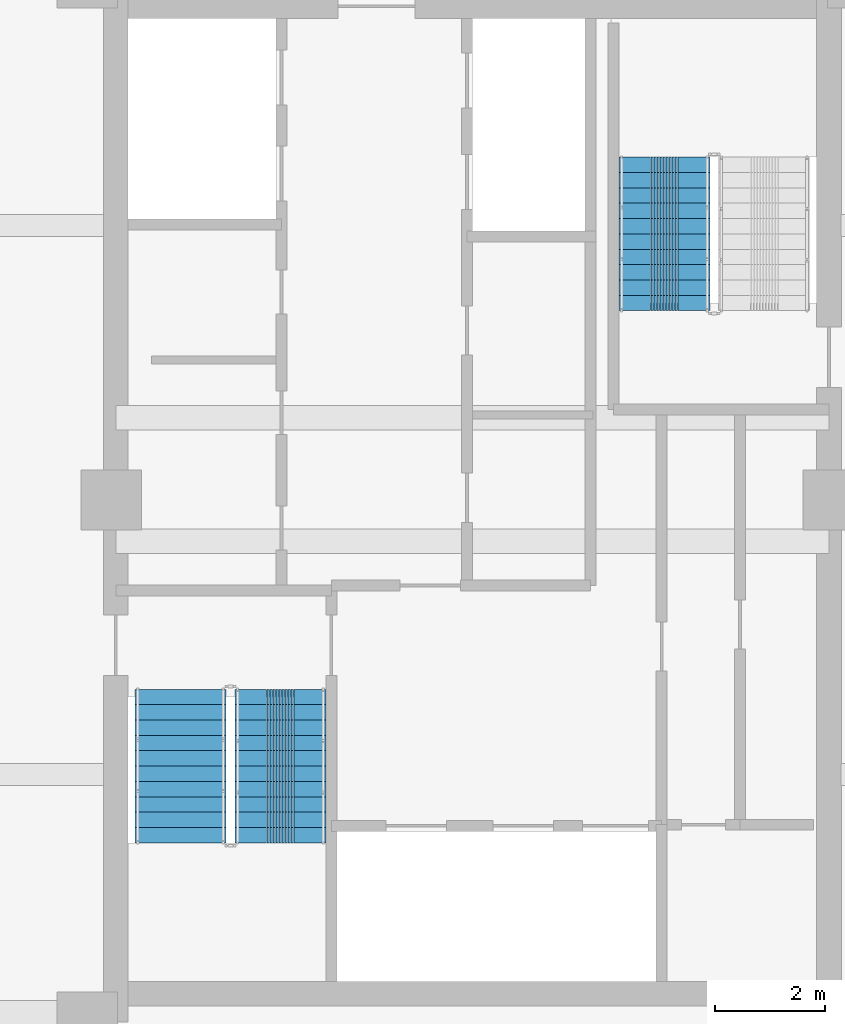
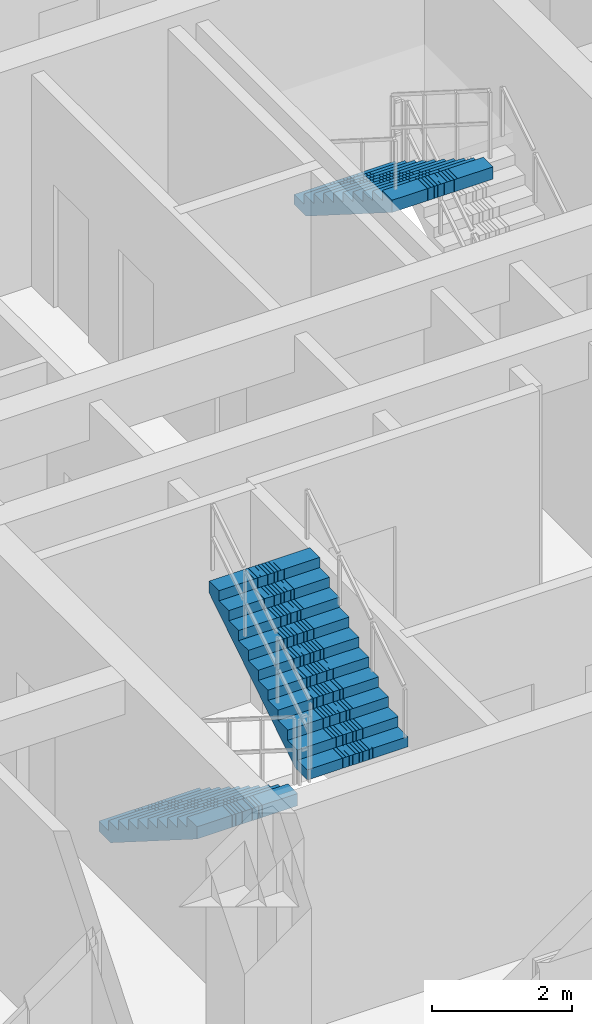
# One storey, part 8 of 14: 3 stair flights, 2 elements without a shape of their own.
"""IFC4 building model written with IfcOpenShell, lengths in metres."""

import ifcopenshell
import ifcopenshell.guid

model = None  # the IFC model being written
_history = None  # IfcOwnerHistory: only IFC2X3 demands one
_inside = {}  # id of a spatial element -> (the spatial element, [elements in it])
_under = {}  # id of a project, library or spatial element -> (it, [spatial elements below it])
_declared = {}  # id of a project -> (the project, [libraries it declares])
_typed = {}  # id of a type object -> (the type object, [elements of that type])
_made_of = {}  # id of a material, layer set ... -> (it, [elements and type objects made of it])


def new_model(schema):
    """Start an empty IFC model of exactly this schema.

    Asked for "IFC4X3", IfcOpenShell would pick the latest addendum, in which some entities
    have other attributes; the version numbers below select the first issue.
    IFC2X3 requires an IfcOwnerHistory on every rooted entity: one is made here for all.
    """
    global model, _history
    if schema == "IFC4X3":
        model = ifcopenshell.file(schema_version=(4, 3, 0, 0))
    else:
        model = ifcopenshell.file(schema=schema)
    _inside.clear()
    _under.clear()
    _declared.clear()
    _typed.clear()
    _made_of.clear()
    _history = None
    if model.schema == "IFC2X3":
        org = make("IfcOrganization", Name="unknown")
        user = make(
            "IfcPersonAndOrganization",
            ThePerson=make("IfcPerson", FamilyName="unknown"),
            TheOrganization=org,
        )
        app = make(
            "IfcApplication",
            ApplicationDeveloper=org,
            Version="unknown",
            ApplicationFullName="unknown",
            ApplicationIdentifier="unknown",
        )
        _history = make(
            "IfcOwnerHistory",
            OwningUser=user,
            OwningApplication=app,
            ChangeAction="ADDED",
            CreationDate=0,
        )
    return model


def make(cls, **values):
    """One entity of the class cls with the attributes given. An attribute that is None is left unset."""
    return model.create_entity(
        cls, **{name: value for name, value in values.items() if value is not None}
    )


def rooted(cls, **values):
    """An entity with a GlobalId (a new one), such as an element, a storey or a relation."""
    return make(cls, GlobalId=ifcopenshell.guid.new(), OwnerHistory=_history, **values)


def si_unit(unit_type, name, prefix=None):
    """IfcSIUnit, for example si_unit("LENGTHUNIT", "METRE", prefix="MILLI")."""
    return make("IfcSIUnit", UnitType=unit_type, Prefix=prefix, Name=name)


def assignment(units):
    """IfcUnitAssignment: the units of a project."""
    return None if units is None else make("IfcUnitAssignment", Units=units)


def point(xyz):
    """IfcCartesianPoint."""
    return None if xyz is None else make("IfcCartesianPoint", Coordinates=xyz)


def direction(xyz):
    """IfcDirection."""
    return None if xyz is None else make("IfcDirection", DirectionRatios=xyz)


def frame(location, z_axis=None, x_axis=None):
    """IfcAxis2Placement3D, a coordinate frame: its origin and axes. An axis left out is left unset."""
    return make(
        "IfcAxis2Placement3D",
        Location=point(location),
        Axis=direction(z_axis),
        RefDirection=direction(x_axis),
    )


def origin():
    """The frame at (0, 0, 0) with its axes left unset."""
    return frame((0.0, 0.0, 0.0))


def place(relative_to, where):
    """IfcLocalPlacement: puts the frame where relative to a parent placement (None: the world)."""
    return make(
        "IfcLocalPlacement", PlacementRelTo=relative_to, RelativePlacement=where
    )


def context(
    kind, dimensions, precision=None, world=None, true_north=None, identifier=None
):
    """IfcGeometricRepresentationContext, for example the 3D "Model" context."""
    return make(
        "IfcGeometricRepresentationContext",
        ContextIdentifier=identifier,
        ContextType=kind,
        CoordinateSpaceDimension=dimensions,
        Precision=precision,
        WorldCoordinateSystem=world,
        TrueNorth=true_north,
    )


def subcontext(parent, identifier, kind, view, scale=None):
    """IfcGeometricRepresentationSubContext, for example "Body" below "Model"."""
    return make(
        "IfcGeometricRepresentationSubContext",
        ContextIdentifier=identifier,
        ContextType=kind,
        ParentContext=parent,
        TargetScale=scale,
        TargetView=view,
    )


def project(units=None, contexts=None):
    """IfcProject with its units and contexts."""
    return rooted(
        "IfcProject",
        Name="project",
        RepresentationContexts=contexts,
        UnitsInContext=assignment(units),
    )


def spatial(cls, under=None, at=None, **own):
    """A site, building, storey or space (cls), placed at a placement, below another one or the project."""
    s = rooted(cls, ObjectPlacement=at, **own)
    if under is not None:
        _under.setdefault(under.id(), (under, []))[1].append(s)
    return s


def polyline(points):
    """IfcPolyline through the points."""
    return make("IfcPolyline", Points=[point(p) for p in points])


def outline(outer, holes=None, kind="AREA"):
    """IfcArbitraryClosedProfileDef: a profile drawn as a closed curve; with holes, ...WithVoids."""
    if holes is None:
        return make("IfcArbitraryClosedProfileDef", ProfileType=kind, OuterCurve=outer)
    return make(
        "IfcArbitraryProfileDefWithVoids",
        ProfileType=kind,
        OuterCurve=outer,
        InnerCurves=holes,
    )


def extrude(swept, where, along, depth):
    """IfcExtrudedAreaSolid: the profile swept, set in the frame where, extruded along a direction by depth."""
    return make(
        "IfcExtrudedAreaSolid",
        SweptArea=swept,
        Position=where,
        ExtrudedDirection=direction(along),
        Depth=depth,
    )


def shape(context_of_items, identifier, shape_type, items):
    """IfcShapeRepresentation: the items that make up one representation, for example the "Body"."""
    return make(
        "IfcShapeRepresentation",
        ContextOfItems=context_of_items,
        RepresentationIdentifier=identifier,
        RepresentationType=shape_type,
        Items=items,
    )


def material(Name=None, Category=None):
    """IfcMaterial."""
    return make("IfcMaterial", Name=Name, Category=Category)


def made_of(thing, what):
    """Note that an element or type object is made of a material, layer set ...; save() writes the relation."""
    if what is not None:
        _made_of.setdefault(what.id(), (what, []))[1].append(thing)
    return thing


def type_object(cls, material=None, **own):
    """A type object (cls), such as IfcWallType, which elements share."""
    return made_of(rooted(cls, **own), material)


def element(
    cls,
    number,
    at=None,
    inside=None,
    cuts=None,
    type_object=None,
    material=None,
    context=None,
    identifier="Body",
    shape_type=None,
    held_by="IfcProductDefinitionShape",
    body=None,
    shapes=None,
    **own,
):
    """One element of the class cls, such as IfcWall. Its Tag is "e" and its number.

    at: its placement. inside: the storey or other place that contains it. cuts: it is an
    opening in that element (IfcRelVoidsElement). A single representation is given by context,
    identifier, shape_type and body (its items); several are given by shapes. held_by: the class
    of the entity that holds the representations. save() writes the other relations.
    """
    e = rooted(cls, Tag="e%d" % number, ObjectPlacement=at, **own)
    if body is not None:
        shapes = [shape(context, identifier, shape_type, body)]
    if shapes is not None:
        e.Representation = make(held_by, Representations=shapes)
    if inside is not None:
        _inside.setdefault(inside.id(), (inside, []))[1].append(e)
    if cuts is not None:
        rooted(
            "IfcRelVoidsElement", RelatingBuildingElement=cuts, RelatedOpeningElement=e
        )
    if type_object is not None:
        _typed.setdefault(type_object.id(), (type_object, []))[1].append(e)
    return made_of(e, material)


def aggregate(whole, parts):
    """IfcRelAggregates: a whole, such as a stair, and the parts it consists of."""
    return rooted("IfcRelAggregates", RelatingObject=whole, RelatedObjects=parts)


def save(model, path):
    """Write the relations noted so far, then the file.

    IfcRelAggregates (storeys below a building ...), IfcRelContainedInSpatialStructure (elements
    in a storey), IfcRelDefinesByType, IfcRelAssociatesMaterial and IfcRelDeclares: one each for
    every whole, place, type object, material and project.
    """
    for whole, parts in _under.values():
        aggregate(whole, parts)
    for where, things in _inside.values():
        rooted(
            "IfcRelContainedInSpatialStructure",
            RelatedElements=things,
            RelatingStructure=where,
        )
    for kind, things in _typed.values():
        rooted("IfcRelDefinesByType", RelatedObjects=things, RelatingType=kind)
    for what, things in _made_of.values():
        rooted("IfcRelAssociatesMaterial", RelatedObjects=things, RelatingMaterial=what)
    for by, libraries in _declared.values():
        rooted("IfcRelDeclares", RelatingContext=by, RelatedDefinitions=libraries)
    model.write(path)


model = new_model("IFC4")

# Units and contexts
model_context = context("Model", 3, precision=1e-05, world=origin(), true_north=direction((0.0, 1.0)))
body_context = subcontext(model_context, "Body", "Model", "MODEL_VIEW")
ifc_project = project(units=[si_unit("LENGTHUNIT", "METRE"), si_unit("AREAUNIT", "SQUARE_METRE"), si_unit("VOLUMEUNIT", "CUBIC_METRE"), si_unit("PLANEANGLEUNIT", "RADIAN"), si_unit("MASSUNIT", "GRAM", prefix="KILO")], contexts=[model_context])

# Site, building, storey
site_placement = place(None, origin())
site = spatial("IfcSite", under=ifc_project, at=site_placement, CompositionType="ELEMENT")
building_placement = place(site_placement, origin())
building = spatial("IfcBuilding", under=site, at=building_placement, Name="Saelheon Loggia Tower", CompositionType="ELEMENT")
storey_placement = place(building_placement, frame((0.0, 0.0, 182.800048828125)))
storey = spatial("IfcBuildingStorey", under=building, at=storey_placement, Name="L57", CompositionType="ELEMENT", Elevation=182.800048828125)

# Stair, stair flights
ifc_material = material(Name="Concrete C40/50", Category="concrete")
stair_type = type_object("IfcStairType", Name="Stair_Escape_Core", PredefinedType="HALF_TURN_STAIR", material=ifc_material)
stair_1_placement = place(storey_placement, origin())
stair_1 = element("IfcStair", 1, at=stair_1_placement, inside=storey, type_object=stair_type, Name="L57 Special Escape Stair ST1", PredefinedType="HALF_TURN_STAIR")
stair_flight_type = type_object("IfcStairFlightType", Name="StairFlight_Tower_1660", PredefinedType="STRAIGHT", material=ifc_material)
stair_flight_1_placement = place(storey_placement, frame((32.679931640625, 23.550048828125, 0.0), z_axis=(0.0, 0.0, 1.0), x_axis=(0.0, -1.0, 0.0)))
stair_flight_1 = element("IfcStairFlight", 2, at=stair_flight_1_placement, type_object=stair_flight_type, Name="ST1 flight 1", NumberOfRisers=11, NumberOfTreads=10, PredefinedType="STRAIGHT", RiserHeight=0.177272727, TreadLength=0.28, context=body_context, shape_type="SweptSolid", body=[
    extrude(outline(polyline([(0.0, 0.0), (0.0, 0.17724609375), (0.280029296875, 0.17724609375), (0.280029296875, 0.3544921875), (0.56005859375, 0.3544921875), (0.56005859375, 0.53173828125), (0.840087890625, 0.53173828125), (0.840087890625, 0.708984375), (1.1201171875, 0.708984375), (1.1201171875, 0.886474609375), (1.39990234375, 0.886474609375), (1.39990234375, 1.063720703125), (1.679931640625, 1.063720703125), (1.679931640625, 1.240966796875), (1.9599609375, 1.240966796875), (1.9599609375, 1.418212890625), (2.239990234375, 1.418212890625), (2.239990234375, 1.595458984375), (2.52001953125, 1.595458984375), (2.52001953125, 1.772705078125), (2.800048828125, 1.772705078125), (2.800048828125, 1.949951171875), (2.800048828125, 1.559814453125), (0.33642578125, 0.0), (0.0, 0.0)])), frame((0.0, -0.2490234375, 0.0), z_axis=(0.0, -1.0, 0.0), x_axis=(1.0, 0.0, 0.0)), (0.0, 0.0, 1.0), 0.5810546875),
    extrude(outline(polyline([(0.0, 0.0), (0.0, 0.17724609375), (0.280029296875, 0.17724609375), (0.280029296875, 0.3544921875), (0.56005859375, 0.3544921875), (0.56005859375, 0.53173828125), (0.840087890625, 0.53173828125), (0.840087890625, 0.708984375), (1.1201171875, 0.708984375), (1.1201171875, 0.886474609375), (1.39990234375, 0.886474609375), (1.39990234375, 1.063720703125), (1.679931640625, 1.063720703125), (1.679931640625, 1.240966796875), (1.9599609375, 1.240966796875), (1.9599609375, 1.418212890625), (2.239990234375, 1.418212890625), (2.239990234375, 1.595458984375), (2.52001953125, 1.595458984375), (2.52001953125, 1.772705078125), (2.800048828125, 1.772705078125), (2.800048828125, 1.949951171875), (2.800048828125, 1.559814453125), (0.33642578125, 0.0), (0.0, 0.0)])), frame((0.0, -0.194091796875, 0.0), z_axis=(0.0, -1.0, 0.0), x_axis=(1.0, 0.0, 0.0)), (0.0, 0.0, 1.0), 0.0498046875),
    extrude(outline(polyline([(0.0, 0.0), (0.0, 0.17724609375), (0.280029296875, 0.17724609375), (0.280029296875, 0.3544921875), (0.56005859375, 0.3544921875), (0.56005859375, 0.53173828125), (0.840087890625, 0.53173828125), (0.840087890625, 0.708984375), (1.1201171875, 0.708984375), (1.1201171875, 0.886474609375), (1.39990234375, 0.886474609375), (1.39990234375, 1.063720703125), (1.679931640625, 1.063720703125), (1.679931640625, 1.240966796875), (1.9599609375, 1.240966796875), (1.9599609375, 1.418212890625), (2.239990234375, 1.418212890625), (2.239990234375, 1.595458984375), (2.52001953125, 1.595458984375), (2.52001953125, 1.772705078125), (2.800048828125, 1.772705078125), (2.800048828125, 1.949951171875), (2.800048828125, 1.559814453125), (0.33642578125, 0.0), (0.0, 0.0)])), frame((0.0, -0.139404296875, 0.0), z_axis=(0.0, -1.0, 0.0), x_axis=(1.0, 0.0, 0.0)), (0.0, 0.0, 1.0), 0.0498046875),
    extrude(outline(polyline([(0.0, 0.0), (0.0, 0.17724609375), (0.280029296875, 0.17724609375), (0.280029296875, 0.3544921875), (0.56005859375, 0.3544921875), (0.56005859375, 0.53173828125), (0.840087890625, 0.53173828125), (0.840087890625, 0.708984375), (1.1201171875, 0.708984375), (1.1201171875, 0.886474609375), (1.39990234375, 0.886474609375), (1.39990234375, 1.063720703125), (1.679931640625, 1.063720703125), (1.679931640625, 1.240966796875), (1.9599609375, 1.240966796875), (1.9599609375, 1.418212890625), (2.239990234375, 1.418212890625), (2.239990234375, 1.595458984375), (2.52001953125, 1.595458984375), (2.52001953125, 1.772705078125), (2.800048828125, 1.772705078125), (2.800048828125, 1.949951171875), (2.800048828125, 1.559814453125), (0.33642578125, 0.0), (0.0, 0.0)])), frame((0.0, -0.084716796875, 0.0), z_axis=(0.0, -1.0, 0.0), x_axis=(1.0, 0.0, 0.0)), (0.0, 0.0, 1.0), 0.0498046875),
    extrude(outline(polyline([(0.0, 0.0), (0.0, 0.17724609375), (0.280029296875, 0.17724609375), (0.280029296875, 0.3544921875), (0.56005859375, 0.3544921875), (0.56005859375, 0.53173828125), (0.840087890625, 0.53173828125), (0.840087890625, 0.708984375), (1.1201171875, 0.708984375), (1.1201171875, 0.886474609375), (1.39990234375, 0.886474609375), (1.39990234375, 1.063720703125), (1.679931640625, 1.063720703125), (1.679931640625, 1.240966796875), (1.9599609375, 1.240966796875), (1.9599609375, 1.418212890625), (2.239990234375, 1.418212890625), (2.239990234375, 1.595458984375), (2.52001953125, 1.595458984375), (2.52001953125, 1.772705078125), (2.800048828125, 1.772705078125), (2.800048828125, 1.949951171875), (2.800048828125, 1.559814453125), (0.33642578125, 0.0), (0.0, 0.0)])), frame((0.0, -0.02978515625, 0.0), z_axis=(0.0, -1.0, 0.0), x_axis=(1.0, 0.0, 0.0)), (0.0, 0.0, 1.0), 0.0498046875),
    extrude(outline(polyline([(0.0, 0.0), (0.0, 0.17724609375), (0.280029296875, 0.17724609375), (0.280029296875, 0.3544921875), (0.56005859375, 0.3544921875), (0.56005859375, 0.53173828125), (0.840087890625, 0.53173828125), (0.840087890625, 0.708984375), (1.1201171875, 0.708984375), (1.1201171875, 0.886474609375), (1.39990234375, 0.886474609375), (1.39990234375, 1.063720703125), (1.679931640625, 1.063720703125), (1.679931640625, 1.240966796875), (1.9599609375, 1.240966796875), (1.9599609375, 1.418212890625), (2.239990234375, 1.418212890625), (2.239990234375, 1.595458984375), (2.52001953125, 1.595458984375), (2.52001953125, 1.772705078125), (2.800048828125, 1.772705078125), (2.800048828125, 1.949951171875), (2.800048828125, 1.559814453125), (0.33642578125, 0.0), (0.0, 0.0)])), frame((0.0, 0.02490234375, 0.0), z_axis=(0.0, -1.0, 0.0), x_axis=(1.0, 0.0, 0.0)), (0.0, 0.0, 1.0), 0.0498046875),
    extrude(outline(polyline([(0.0, 0.0), (0.0, 0.17724609375), (0.280029296875, 0.17724609375), (0.280029296875, 0.3544921875), (0.56005859375, 0.3544921875), (0.56005859375, 0.53173828125), (0.840087890625, 0.53173828125), (0.840087890625, 0.708984375), (1.1201171875, 0.708984375), (1.1201171875, 0.886474609375), (1.39990234375, 0.886474609375), (1.39990234375, 1.063720703125), (1.679931640625, 1.063720703125), (1.679931640625, 1.240966796875), (1.9599609375, 1.240966796875), (1.9599609375, 1.418212890625), (2.239990234375, 1.418212890625), (2.239990234375, 1.595458984375), (2.52001953125, 1.595458984375), (2.52001953125, 1.772705078125), (2.800048828125, 1.772705078125), (2.800048828125, 1.949951171875), (2.800048828125, 1.559814453125), (0.33642578125, 0.0), (0.0, 0.0)])), frame((0.0, 0.07958984375, 0.0), z_axis=(0.0, -1.0, 0.0), x_axis=(1.0, 0.0, 0.0)), (0.0, 0.0, 1.0), 0.0498046875),
    extrude(outline(polyline([(0.0, 0.0), (0.0, 0.17724609375), (0.280029296875, 0.17724609375), (0.280029296875, 0.3544921875), (0.56005859375, 0.3544921875), (0.56005859375, 0.53173828125), (0.840087890625, 0.53173828125), (0.840087890625, 0.708984375), (1.1201171875, 0.708984375), (1.1201171875, 0.886474609375), (1.39990234375, 0.886474609375), (1.39990234375, 1.063720703125), (1.679931640625, 1.063720703125), (1.679931640625, 1.240966796875), (1.9599609375, 1.240966796875), (1.9599609375, 1.418212890625), (2.239990234375, 1.418212890625), (2.239990234375, 1.595458984375), (2.52001953125, 1.595458984375), (2.52001953125, 1.772705078125), (2.800048828125, 1.772705078125), (2.800048828125, 1.949951171875), (2.800048828125, 1.559814453125), (0.33642578125, 0.0), (0.0, 0.0)])), frame((0.0, 0.134521484375, 0.0), z_axis=(0.0, -1.0, 0.0), x_axis=(1.0, 0.0, 0.0)), (0.0, 0.0, 1.0), 0.0498046875),
    extrude(outline(polyline([(0.0, 0.0), (0.0, 0.17724609375), (0.280029296875, 0.17724609375), (0.280029296875, 0.3544921875), (0.56005859375, 0.3544921875), (0.56005859375, 0.53173828125), (0.840087890625, 0.53173828125), (0.840087890625, 0.708984375), (1.1201171875, 0.708984375), (1.1201171875, 0.886474609375), (1.39990234375, 0.886474609375), (1.39990234375, 1.063720703125), (1.679931640625, 1.063720703125), (1.679931640625, 1.240966796875), (1.9599609375, 1.240966796875), (1.9599609375, 1.418212890625), (2.239990234375, 1.418212890625), (2.239990234375, 1.595458984375), (2.52001953125, 1.595458984375), (2.52001953125, 1.772705078125), (2.800048828125, 1.772705078125), (2.800048828125, 1.949951171875), (2.800048828125, 1.559814453125), (0.33642578125, 0.0), (0.0, 0.0)])), frame((0.0, 0.189208984375, 0.0), z_axis=(0.0, -1.0, 0.0), x_axis=(1.0, 0.0, 0.0)), (0.0, 0.0, 1.0), 0.0498046875),
    extrude(outline(polyline([(0.0, 0.0), (0.0, 0.17724609375), (0.280029296875, 0.17724609375), (0.280029296875, 0.3544921875), (0.56005859375, 0.3544921875), (0.56005859375, 0.53173828125), (0.840087890625, 0.53173828125), (0.840087890625, 0.708984375), (1.1201171875, 0.708984375), (1.1201171875, 0.886474609375), (1.39990234375, 0.886474609375), (1.39990234375, 1.063720703125), (1.679931640625, 1.063720703125), (1.679931640625, 1.240966796875), (1.9599609375, 1.240966796875), (1.9599609375, 1.418212890625), (2.239990234375, 1.418212890625), (2.239990234375, 1.595458984375), (2.52001953125, 1.595458984375), (2.52001953125, 1.772705078125), (2.800048828125, 1.772705078125), (2.800048828125, 1.949951171875), (2.800048828125, 1.559814453125), (0.33642578125, 0.0), (0.0, 0.0)])), frame((0.0, 0.243896484375, 0.0), z_axis=(0.0, -1.0, 0.0), x_axis=(1.0, 0.0, 0.0)), (0.0, 0.0, 1.0), 0.0498046875),
    extrude(outline(polyline([(0.0, 0.0), (0.0, 0.17724609375), (0.280029296875, 0.17724609375), (0.280029296875, 0.3544921875), (0.56005859375, 0.3544921875), (0.56005859375, 0.53173828125), (0.840087890625, 0.53173828125), (0.840087890625, 0.708984375), (1.1201171875, 0.708984375), (1.1201171875, 0.886474609375), (1.39990234375, 0.886474609375), (1.39990234375, 1.063720703125), (1.679931640625, 1.063720703125), (1.679931640625, 1.240966796875), (1.9599609375, 1.240966796875), (1.9599609375, 1.418212890625), (2.239990234375, 1.418212890625), (2.239990234375, 1.595458984375), (2.52001953125, 1.595458984375), (2.52001953125, 1.772705078125), (2.800048828125, 1.772705078125), (2.800048828125, 1.949951171875), (2.800048828125, 1.559814453125), (0.33642578125, 0.0), (0.0, 0.0)])), frame((0.0, 0.830078125, 0.0), z_axis=(0.0, -1.0, 0.0), x_axis=(1.0, 0.0, 0.0)), (0.0, 0.0, 1.0), 0.5810546875),
])
stair_flight_2_placement = place(storey_placement, frame((34.5, 20.75, 1.949951171875), z_axis=(0.0, 0.0, 1.0), x_axis=(0.0, 1.0, 0.0)))
stair_flight_2 = element("IfcStairFlight", 3, at=stair_flight_2_placement, type_object=stair_flight_type, Name="ST1 flight 2", NumberOfRisers=11, NumberOfTreads=10, PredefinedType="STRAIGHT", RiserHeight=0.177272727, TreadLength=0.28, context=body_context, shape_type="SweptSolid", body=[
    extrude(outline(polyline([(0.0, 0.0), (0.0, 0.17724609375), (0.280029296875, 0.17724609375), (0.280029296875, 0.3544921875), (0.56005859375, 0.3544921875), (0.56005859375, 0.53173828125), (0.840087890625, 0.53173828125), (0.840087890625, 0.708984375), (1.1201171875, 0.708984375), (1.1201171875, 0.886474609375), (1.39990234375, 0.886474609375), (1.39990234375, 1.063720703125), (1.679931640625, 1.063720703125), (1.679931640625, 1.240966796875), (1.9599609375, 1.240966796875), (1.9599609375, 1.418212890625), (2.239990234375, 1.418212890625), (2.239990234375, 1.595458984375), (2.52001953125, 1.595458984375), (2.52001953125, 1.772705078125), (2.800048828125, 1.772705078125), (2.800048828125, 1.949951171875), (2.800048828125, 1.559814453125), (0.33642578125, 0.0), (0.0, 0.0)])), frame((0.0, -0.2490234375, 0.0), z_axis=(0.0, -1.0, 0.0), x_axis=(1.0, 0.0, 0.0)), (0.0, 0.0, 1.0), 0.5810546875),
    extrude(outline(polyline([(0.0, 0.0), (0.0, 0.17724609375), (0.280029296875, 0.17724609375), (0.280029296875, 0.3544921875), (0.56005859375, 0.3544921875), (0.56005859375, 0.53173828125), (0.840087890625, 0.53173828125), (0.840087890625, 0.708984375), (1.1201171875, 0.708984375), (1.1201171875, 0.886474609375), (1.39990234375, 0.886474609375), (1.39990234375, 1.063720703125), (1.679931640625, 1.063720703125), (1.679931640625, 1.240966796875), (1.9599609375, 1.240966796875), (1.9599609375, 1.418212890625), (2.239990234375, 1.418212890625), (2.239990234375, 1.595458984375), (2.52001953125, 1.595458984375), (2.52001953125, 1.772705078125), (2.800048828125, 1.772705078125), (2.800048828125, 1.949951171875), (2.800048828125, 1.559814453125), (0.33642578125, 0.0), (0.0, 0.0)])), frame((0.0, -0.194091796875, 0.0), z_axis=(0.0, -1.0, 0.0), x_axis=(1.0, 0.0, 0.0)), (0.0, 0.0, 1.0), 0.0498046875),
    extrude(outline(polyline([(0.0, 0.0), (0.0, 0.17724609375), (0.280029296875, 0.17724609375), (0.280029296875, 0.3544921875), (0.56005859375, 0.3544921875), (0.56005859375, 0.53173828125), (0.840087890625, 0.53173828125), (0.840087890625, 0.708984375), (1.1201171875, 0.708984375), (1.1201171875, 0.886474609375), (1.39990234375, 0.886474609375), (1.39990234375, 1.063720703125), (1.679931640625, 1.063720703125), (1.679931640625, 1.240966796875), (1.9599609375, 1.240966796875), (1.9599609375, 1.418212890625), (2.239990234375, 1.418212890625), (2.239990234375, 1.595458984375), (2.52001953125, 1.595458984375), (2.52001953125, 1.772705078125), (2.800048828125, 1.772705078125), (2.800048828125, 1.949951171875), (2.800048828125, 1.559814453125), (0.33642578125, 0.0), (0.0, 0.0)])), frame((0.0, -0.139404296875, 0.0), z_axis=(0.0, -1.0, 0.0), x_axis=(1.0, 0.0, 0.0)), (0.0, 0.0, 1.0), 0.0498046875),
    extrude(outline(polyline([(0.0, 0.0), (0.0, 0.17724609375), (0.280029296875, 0.17724609375), (0.280029296875, 0.3544921875), (0.56005859375, 0.3544921875), (0.56005859375, 0.53173828125), (0.840087890625, 0.53173828125), (0.840087890625, 0.708984375), (1.1201171875, 0.708984375), (1.1201171875, 0.886474609375), (1.39990234375, 0.886474609375), (1.39990234375, 1.063720703125), (1.679931640625, 1.063720703125), (1.679931640625, 1.240966796875), (1.9599609375, 1.240966796875), (1.9599609375, 1.418212890625), (2.239990234375, 1.418212890625), (2.239990234375, 1.595458984375), (2.52001953125, 1.595458984375), (2.52001953125, 1.772705078125), (2.800048828125, 1.772705078125), (2.800048828125, 1.949951171875), (2.800048828125, 1.559814453125), (0.33642578125, 0.0), (0.0, 0.0)])), frame((0.0, -0.084716796875, 0.0), z_axis=(0.0, -1.0, 0.0), x_axis=(1.0, 0.0, 0.0)), (0.0, 0.0, 1.0), 0.0498046875),
    extrude(outline(polyline([(0.0, 0.0), (0.0, 0.17724609375), (0.280029296875, 0.17724609375), (0.280029296875, 0.3544921875), (0.56005859375, 0.3544921875), (0.56005859375, 0.53173828125), (0.840087890625, 0.53173828125), (0.840087890625, 0.708984375), (1.1201171875, 0.708984375), (1.1201171875, 0.886474609375), (1.39990234375, 0.886474609375), (1.39990234375, 1.063720703125), (1.679931640625, 1.063720703125), (1.679931640625, 1.240966796875), (1.9599609375, 1.240966796875), (1.9599609375, 1.418212890625), (2.239990234375, 1.418212890625), (2.239990234375, 1.595458984375), (2.52001953125, 1.595458984375), (2.52001953125, 1.772705078125), (2.800048828125, 1.772705078125), (2.800048828125, 1.949951171875), (2.800048828125, 1.559814453125), (0.33642578125, 0.0), (0.0, 0.0)])), frame((0.0, -0.02978515625, 0.0), z_axis=(0.0, -1.0, 0.0), x_axis=(1.0, 0.0, 0.0)), (0.0, 0.0, 1.0), 0.0498046875),
    extrude(outline(polyline([(0.0, 0.0), (0.0, 0.17724609375), (0.280029296875, 0.17724609375), (0.280029296875, 0.3544921875), (0.56005859375, 0.3544921875), (0.56005859375, 0.53173828125), (0.840087890625, 0.53173828125), (0.840087890625, 0.708984375), (1.1201171875, 0.708984375), (1.1201171875, 0.886474609375), (1.39990234375, 0.886474609375), (1.39990234375, 1.063720703125), (1.679931640625, 1.063720703125), (1.679931640625, 1.240966796875), (1.9599609375, 1.240966796875), (1.9599609375, 1.418212890625), (2.239990234375, 1.418212890625), (2.239990234375, 1.595458984375), (2.52001953125, 1.595458984375), (2.52001953125, 1.772705078125), (2.800048828125, 1.772705078125), (2.800048828125, 1.949951171875), (2.800048828125, 1.559814453125), (0.33642578125, 0.0), (0.0, 0.0)])), frame((0.0, 0.02490234375, 0.0), z_axis=(0.0, -1.0, 0.0), x_axis=(1.0, 0.0, 0.0)), (0.0, 0.0, 1.0), 0.0498046875),
    extrude(outline(polyline([(0.0, 0.0), (0.0, 0.17724609375), (0.280029296875, 0.17724609375), (0.280029296875, 0.3544921875), (0.56005859375, 0.3544921875), (0.56005859375, 0.53173828125), (0.840087890625, 0.53173828125), (0.840087890625, 0.708984375), (1.1201171875, 0.708984375), (1.1201171875, 0.886474609375), (1.39990234375, 0.886474609375), (1.39990234375, 1.063720703125), (1.679931640625, 1.063720703125), (1.679931640625, 1.240966796875), (1.9599609375, 1.240966796875), (1.9599609375, 1.418212890625), (2.239990234375, 1.418212890625), (2.239990234375, 1.595458984375), (2.52001953125, 1.595458984375), (2.52001953125, 1.772705078125), (2.800048828125, 1.772705078125), (2.800048828125, 1.949951171875), (2.800048828125, 1.559814453125), (0.33642578125, 0.0), (0.0, 0.0)])), frame((0.0, 0.07958984375, 0.0), z_axis=(0.0, -1.0, 0.0), x_axis=(1.0, 0.0, 0.0)), (0.0, 0.0, 1.0), 0.0498046875),
    extrude(outline(polyline([(0.0, 0.0), (0.0, 0.17724609375), (0.280029296875, 0.17724609375), (0.280029296875, 0.3544921875), (0.56005859375, 0.3544921875), (0.56005859375, 0.53173828125), (0.840087890625, 0.53173828125), (0.840087890625, 0.708984375), (1.1201171875, 0.708984375), (1.1201171875, 0.886474609375), (1.39990234375, 0.886474609375), (1.39990234375, 1.063720703125), (1.679931640625, 1.063720703125), (1.679931640625, 1.240966796875), (1.9599609375, 1.240966796875), (1.9599609375, 1.418212890625), (2.239990234375, 1.418212890625), (2.239990234375, 1.595458984375), (2.52001953125, 1.595458984375), (2.52001953125, 1.772705078125), (2.800048828125, 1.772705078125), (2.800048828125, 1.949951171875), (2.800048828125, 1.559814453125), (0.33642578125, 0.0), (0.0, 0.0)])), frame((0.0, 0.134521484375, 0.0), z_axis=(0.0, -1.0, 0.0), x_axis=(1.0, 0.0, 0.0)), (0.0, 0.0, 1.0), 0.0498046875),
    extrude(outline(polyline([(0.0, 0.0), (0.0, 0.17724609375), (0.280029296875, 0.17724609375), (0.280029296875, 0.3544921875), (0.56005859375, 0.3544921875), (0.56005859375, 0.53173828125), (0.840087890625, 0.53173828125), (0.840087890625, 0.708984375), (1.1201171875, 0.708984375), (1.1201171875, 0.886474609375), (1.39990234375, 0.886474609375), (1.39990234375, 1.063720703125), (1.679931640625, 1.063720703125), (1.679931640625, 1.240966796875), (1.9599609375, 1.240966796875), (1.9599609375, 1.418212890625), (2.239990234375, 1.418212890625), (2.239990234375, 1.595458984375), (2.52001953125, 1.595458984375), (2.52001953125, 1.772705078125), (2.800048828125, 1.772705078125), (2.800048828125, 1.949951171875), (2.800048828125, 1.559814453125), (0.33642578125, 0.0), (0.0, 0.0)])), frame((0.0, 0.189208984375, 0.0), z_axis=(0.0, -1.0, 0.0), x_axis=(1.0, 0.0, 0.0)), (0.0, 0.0, 1.0), 0.0498046875),
    extrude(outline(polyline([(0.0, 0.0), (0.0, 0.17724609375), (0.280029296875, 0.17724609375), (0.280029296875, 0.3544921875), (0.56005859375, 0.3544921875), (0.56005859375, 0.53173828125), (0.840087890625, 0.53173828125), (0.840087890625, 0.708984375), (1.1201171875, 0.708984375), (1.1201171875, 0.886474609375), (1.39990234375, 0.886474609375), (1.39990234375, 1.063720703125), (1.679931640625, 1.063720703125), (1.679931640625, 1.240966796875), (1.9599609375, 1.240966796875), (1.9599609375, 1.418212890625), (2.239990234375, 1.418212890625), (2.239990234375, 1.595458984375), (2.52001953125, 1.595458984375), (2.52001953125, 1.772705078125), (2.800048828125, 1.772705078125), (2.800048828125, 1.949951171875), (2.800048828125, 1.559814453125), (0.33642578125, 0.0), (0.0, 0.0)])), frame((0.0, 0.243896484375, 0.0), z_axis=(0.0, -1.0, 0.0), x_axis=(1.0, 0.0, 0.0)), (0.0, 0.0, 1.0), 0.0498046875),
    extrude(outline(polyline([(0.0, 0.0), (0.0, 0.17724609375), (0.280029296875, 0.17724609375), (0.280029296875, 0.3544921875), (0.56005859375, 0.3544921875), (0.56005859375, 0.53173828125), (0.840087890625, 0.53173828125), (0.840087890625, 0.708984375), (1.1201171875, 0.708984375), (1.1201171875, 0.886474609375), (1.39990234375, 0.886474609375), (1.39990234375, 1.063720703125), (1.679931640625, 1.063720703125), (1.679931640625, 1.240966796875), (1.9599609375, 1.240966796875), (1.9599609375, 1.418212890625), (2.239990234375, 1.418212890625), (2.239990234375, 1.595458984375), (2.52001953125, 1.595458984375), (2.52001953125, 1.772705078125), (2.800048828125, 1.772705078125), (2.800048828125, 1.949951171875), (2.800048828125, 1.559814453125), (0.33642578125, 0.0), (0.0, 0.0)])), frame((0.0, 0.830078125, 0.0), z_axis=(0.0, -1.0, 0.0), x_axis=(1.0, 0.0, 0.0)), (0.0, 0.0, 1.0), 0.5810546875),
])
aggregate(stair_1, [stair_flight_1, stair_flight_2])

# Stair, stair flight
stair_2_placement = place(storey_placement, origin())
stair_2 = element("IfcStair", 4, at=stair_2_placement, inside=storey, type_object=stair_type, Name="L57 Special Escape Stair ST2", PredefinedType="HALF_TURN_STAIR")
stair_flight_3_placement = place(storey_placement, frame((41.5, 33.25, 1.949951171875), z_axis=(0.0, 0.0, 1.0), x_axis=(0.0, -1.0, 0.0)))
stair_flight_3 = element("IfcStairFlight", 5, at=stair_flight_3_placement, type_object=stair_flight_type, Name="ST2 flight 2", NumberOfRisers=11, NumberOfTreads=10, PredefinedType="STRAIGHT", RiserHeight=0.177272727, TreadLength=0.28, context=body_context, shape_type="SweptSolid", body=[
    extrude(outline(polyline([(0.0, 0.0), (0.0, 0.17724609375), (0.280029296875, 0.17724609375), (0.280029296875, 0.3544921875), (0.56005859375, 0.3544921875), (0.56005859375, 0.53173828125), (0.840087890625, 0.53173828125), (0.840087890625, 0.708984375), (1.1201171875, 0.708984375), (1.1201171875, 0.886474609375), (1.39990234375, 0.886474609375), (1.39990234375, 1.063720703125), (1.679931640625, 1.063720703125), (1.679931640625, 1.240966796875), (1.9599609375, 1.240966796875), (1.9599609375, 1.418212890625), (2.239990234375, 1.418212890625), (2.239990234375, 1.595458984375), (2.52001953125, 1.595458984375), (2.52001953125, 1.772705078125), (2.800048828125, 1.772705078125), (2.800048828125, 1.949951171875), (2.800048828125, 1.559814453125), (0.33642578125, 0.0), (0.0, 0.0)])), frame((0.0, -0.2490234375, 0.0), z_axis=(0.0, -1.0, 0.0), x_axis=(1.0, 0.0, 0.0)), (0.0, 0.0, 1.0), 0.5810546875),
    extrude(outline(polyline([(0.0, 0.0), (0.0, 0.17724609375), (0.280029296875, 0.17724609375), (0.280029296875, 0.3544921875), (0.56005859375, 0.3544921875), (0.56005859375, 0.53173828125), (0.840087890625, 0.53173828125), (0.840087890625, 0.708984375), (1.1201171875, 0.708984375), (1.1201171875, 0.886474609375), (1.39990234375, 0.886474609375), (1.39990234375, 1.063720703125), (1.679931640625, 1.063720703125), (1.679931640625, 1.240966796875), (1.9599609375, 1.240966796875), (1.9599609375, 1.418212890625), (2.239990234375, 1.418212890625), (2.239990234375, 1.595458984375), (2.52001953125, 1.595458984375), (2.52001953125, 1.772705078125), (2.800048828125, 1.772705078125), (2.800048828125, 1.949951171875), (2.800048828125, 1.559814453125), (0.33642578125, 0.0), (0.0, 0.0)])), frame((0.0, -0.194091796875, 0.0), z_axis=(0.0, -1.0, 0.0), x_axis=(1.0, 0.0, 0.0)), (0.0, 0.0, 1.0), 0.0498046875),
    extrude(outline(polyline([(0.0, 0.0), (0.0, 0.17724609375), (0.280029296875, 0.17724609375), (0.280029296875, 0.3544921875), (0.56005859375, 0.3544921875), (0.56005859375, 0.53173828125), (0.840087890625, 0.53173828125), (0.840087890625, 0.708984375), (1.1201171875, 0.708984375), (1.1201171875, 0.886474609375), (1.39990234375, 0.886474609375), (1.39990234375, 1.063720703125), (1.679931640625, 1.063720703125), (1.679931640625, 1.240966796875), (1.9599609375, 1.240966796875), (1.9599609375, 1.418212890625), (2.239990234375, 1.418212890625), (2.239990234375, 1.595458984375), (2.52001953125, 1.595458984375), (2.52001953125, 1.772705078125), (2.800048828125, 1.772705078125), (2.800048828125, 1.949951171875), (2.800048828125, 1.559814453125), (0.33642578125, 0.0), (0.0, 0.0)])), frame((0.0, -0.139404296875, 0.0), z_axis=(0.0, -1.0, 0.0), x_axis=(1.0, 0.0, 0.0)), (0.0, 0.0, 1.0), 0.0498046875),
    extrude(outline(polyline([(0.0, 0.0), (0.0, 0.17724609375), (0.280029296875, 0.17724609375), (0.280029296875, 0.3544921875), (0.56005859375, 0.3544921875), (0.56005859375, 0.53173828125), (0.840087890625, 0.53173828125), (0.840087890625, 0.708984375), (1.1201171875, 0.708984375), (1.1201171875, 0.886474609375), (1.39990234375, 0.886474609375), (1.39990234375, 1.063720703125), (1.679931640625, 1.063720703125), (1.679931640625, 1.240966796875), (1.9599609375, 1.240966796875), (1.9599609375, 1.418212890625), (2.239990234375, 1.418212890625), (2.239990234375, 1.595458984375), (2.52001953125, 1.595458984375), (2.52001953125, 1.772705078125), (2.800048828125, 1.772705078125), (2.800048828125, 1.949951171875), (2.800048828125, 1.559814453125), (0.33642578125, 0.0), (0.0, 0.0)])), frame((0.0, -0.084716796875, 0.0), z_axis=(0.0, -1.0, 0.0), x_axis=(1.0, 0.0, 0.0)), (0.0, 0.0, 1.0), 0.0498046875),
    extrude(outline(polyline([(0.0, 0.0), (0.0, 0.17724609375), (0.280029296875, 0.17724609375), (0.280029296875, 0.3544921875), (0.56005859375, 0.3544921875), (0.56005859375, 0.53173828125), (0.840087890625, 0.53173828125), (0.840087890625, 0.708984375), (1.1201171875, 0.708984375), (1.1201171875, 0.886474609375), (1.39990234375, 0.886474609375), (1.39990234375, 1.063720703125), (1.679931640625, 1.063720703125), (1.679931640625, 1.240966796875), (1.9599609375, 1.240966796875), (1.9599609375, 1.418212890625), (2.239990234375, 1.418212890625), (2.239990234375, 1.595458984375), (2.52001953125, 1.595458984375), (2.52001953125, 1.772705078125), (2.800048828125, 1.772705078125), (2.800048828125, 1.949951171875), (2.800048828125, 1.559814453125), (0.33642578125, 0.0), (0.0, 0.0)])), frame((0.0, -0.02978515625, 0.0), z_axis=(0.0, -1.0, 0.0), x_axis=(1.0, 0.0, 0.0)), (0.0, 0.0, 1.0), 0.0498046875),
    extrude(outline(polyline([(0.0, 0.0), (0.0, 0.17724609375), (0.280029296875, 0.17724609375), (0.280029296875, 0.3544921875), (0.56005859375, 0.3544921875), (0.56005859375, 0.53173828125), (0.840087890625, 0.53173828125), (0.840087890625, 0.708984375), (1.1201171875, 0.708984375), (1.1201171875, 0.886474609375), (1.39990234375, 0.886474609375), (1.39990234375, 1.063720703125), (1.679931640625, 1.063720703125), (1.679931640625, 1.240966796875), (1.9599609375, 1.240966796875), (1.9599609375, 1.418212890625), (2.239990234375, 1.418212890625), (2.239990234375, 1.595458984375), (2.52001953125, 1.595458984375), (2.52001953125, 1.772705078125), (2.800048828125, 1.772705078125), (2.800048828125, 1.949951171875), (2.800048828125, 1.559814453125), (0.33642578125, 0.0), (0.0, 0.0)])), frame((0.0, 0.02490234375, 0.0), z_axis=(0.0, -1.0, 0.0), x_axis=(1.0, 0.0, 0.0)), (0.0, 0.0, 1.0), 0.0498046875),
    extrude(outline(polyline([(0.0, 0.0), (0.0, 0.17724609375), (0.280029296875, 0.17724609375), (0.280029296875, 0.3544921875), (0.56005859375, 0.3544921875), (0.56005859375, 0.53173828125), (0.840087890625, 0.53173828125), (0.840087890625, 0.708984375), (1.1201171875, 0.708984375), (1.1201171875, 0.886474609375), (1.39990234375, 0.886474609375), (1.39990234375, 1.063720703125), (1.679931640625, 1.063720703125), (1.679931640625, 1.240966796875), (1.9599609375, 1.240966796875), (1.9599609375, 1.418212890625), (2.239990234375, 1.418212890625), (2.239990234375, 1.595458984375), (2.52001953125, 1.595458984375), (2.52001953125, 1.772705078125), (2.800048828125, 1.772705078125), (2.800048828125, 1.949951171875), (2.800048828125, 1.559814453125), (0.33642578125, 0.0), (0.0, 0.0)])), frame((0.0, 0.07958984375, 0.0), z_axis=(0.0, -1.0, 0.0), x_axis=(1.0, 0.0, 0.0)), (0.0, 0.0, 1.0), 0.0498046875),
    extrude(outline(polyline([(0.0, 0.0), (0.0, 0.17724609375), (0.280029296875, 0.17724609375), (0.280029296875, 0.3544921875), (0.56005859375, 0.3544921875), (0.56005859375, 0.53173828125), (0.840087890625, 0.53173828125), (0.840087890625, 0.708984375), (1.1201171875, 0.708984375), (1.1201171875, 0.886474609375), (1.39990234375, 0.886474609375), (1.39990234375, 1.063720703125), (1.679931640625, 1.063720703125), (1.679931640625, 1.240966796875), (1.9599609375, 1.240966796875), (1.9599609375, 1.418212890625), (2.239990234375, 1.418212890625), (2.239990234375, 1.595458984375), (2.52001953125, 1.595458984375), (2.52001953125, 1.772705078125), (2.800048828125, 1.772705078125), (2.800048828125, 1.949951171875), (2.800048828125, 1.559814453125), (0.33642578125, 0.0), (0.0, 0.0)])), frame((0.0, 0.134521484375, 0.0), z_axis=(0.0, -1.0, 0.0), x_axis=(1.0, 0.0, 0.0)), (0.0, 0.0, 1.0), 0.0498046875),
    extrude(outline(polyline([(0.0, 0.0), (0.0, 0.17724609375), (0.280029296875, 0.17724609375), (0.280029296875, 0.3544921875), (0.56005859375, 0.3544921875), (0.56005859375, 0.53173828125), (0.840087890625, 0.53173828125), (0.840087890625, 0.708984375), (1.1201171875, 0.708984375), (1.1201171875, 0.886474609375), (1.39990234375, 0.886474609375), (1.39990234375, 1.063720703125), (1.679931640625, 1.063720703125), (1.679931640625, 1.240966796875), (1.9599609375, 1.240966796875), (1.9599609375, 1.418212890625), (2.239990234375, 1.418212890625), (2.239990234375, 1.595458984375), (2.52001953125, 1.595458984375), (2.52001953125, 1.772705078125), (2.800048828125, 1.772705078125), (2.800048828125, 1.949951171875), (2.800048828125, 1.559814453125), (0.33642578125, 0.0), (0.0, 0.0)])), frame((0.0, 0.189208984375, 0.0), z_axis=(0.0, -1.0, 0.0), x_axis=(1.0, 0.0, 0.0)), (0.0, 0.0, 1.0), 0.0498046875),
    extrude(outline(polyline([(0.0, 0.0), (0.0, 0.17724609375), (0.280029296875, 0.17724609375), (0.280029296875, 0.3544921875), (0.56005859375, 0.3544921875), (0.56005859375, 0.53173828125), (0.840087890625, 0.53173828125), (0.840087890625, 0.708984375), (1.1201171875, 0.708984375), (1.1201171875, 0.886474609375), (1.39990234375, 0.886474609375), (1.39990234375, 1.063720703125), (1.679931640625, 1.063720703125), (1.679931640625, 1.240966796875), (1.9599609375, 1.240966796875), (1.9599609375, 1.418212890625), (2.239990234375, 1.418212890625), (2.239990234375, 1.595458984375), (2.52001953125, 1.595458984375), (2.52001953125, 1.772705078125), (2.800048828125, 1.772705078125), (2.800048828125, 1.949951171875), (2.800048828125, 1.559814453125), (0.33642578125, 0.0), (0.0, 0.0)])), frame((0.0, 0.243896484375, 0.0), z_axis=(0.0, -1.0, 0.0), x_axis=(1.0, 0.0, 0.0)), (0.0, 0.0, 1.0), 0.0498046875),
    extrude(outline(polyline([(0.0, 0.0), (0.0, 0.17724609375), (0.280029296875, 0.17724609375), (0.280029296875, 0.3544921875), (0.56005859375, 0.3544921875), (0.56005859375, 0.53173828125), (0.840087890625, 0.53173828125), (0.840087890625, 0.708984375), (1.1201171875, 0.708984375), (1.1201171875, 0.886474609375), (1.39990234375, 0.886474609375), (1.39990234375, 1.063720703125), (1.679931640625, 1.063720703125), (1.679931640625, 1.240966796875), (1.9599609375, 1.240966796875), (1.9599609375, 1.418212890625), (2.239990234375, 1.418212890625), (2.239990234375, 1.595458984375), (2.52001953125, 1.595458984375), (2.52001953125, 1.772705078125), (2.800048828125, 1.772705078125), (2.800048828125, 1.949951171875), (2.800048828125, 1.559814453125), (0.33642578125, 0.0), (0.0, 0.0)])), frame((0.0, 0.830078125, 0.0), z_axis=(0.0, -1.0, 0.0), x_axis=(1.0, 0.0, 0.0)), (0.0, 0.0, 1.0), 0.5810546875),
])
aggregate(stair_2, [stair_flight_3])

save(model, "model.ifc")
